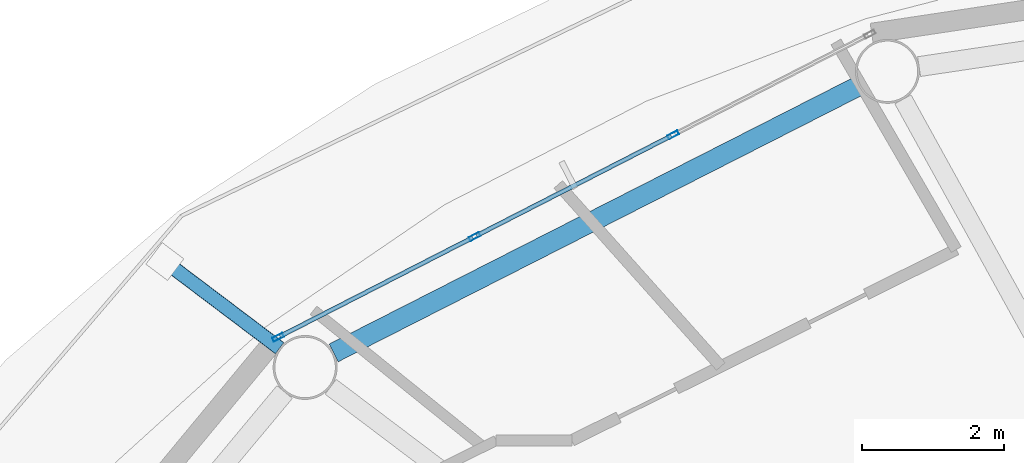
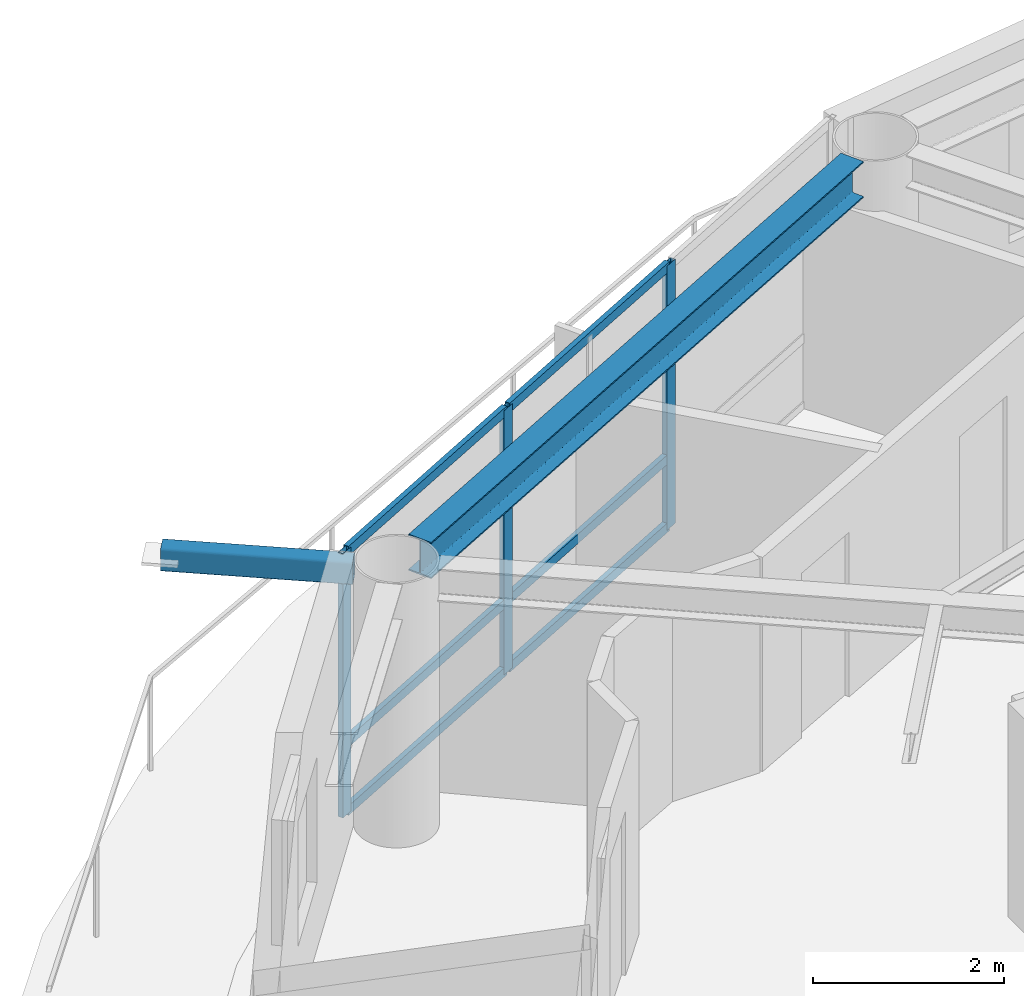
# One storey, part 8 of 21: 10 members, 1 beam, 1 element without a shape of its own.
"""IFC4 building model written with IfcOpenShell, lengths in metres."""

from ifc_helpers import new_model, si_unit, direction, frame, origin, origin_2d, place, context, subcontext, project, spatial, hollow_rectangle, i_section, extrude, material, layer, layer_set, material_profile, profile_set, type_object, element, aggregate, save


model = new_model("IFC4")

# Units and contexts
model_context = context("Model", 3, precision=1e-05, world=origin(), true_north=direction((0.0, 1.0)))
body_context = subcontext(model_context, "Body", "Model", "MODEL_VIEW")
ifc_project = project(units=[si_unit("LENGTHUNIT", "METRE"), si_unit("AREAUNIT", "SQUARE_METRE"), si_unit("VOLUMEUNIT", "CUBIC_METRE"), si_unit("PLANEANGLEUNIT", "RADIAN"), si_unit("MASSUNIT", "GRAM", prefix="KILO")], contexts=[model_context])

# Site, building, storey
site_placement = place(None, origin())
site = spatial("IfcSite", under=ifc_project, at=site_placement, CompositionType="ELEMENT")
building_placement = place(site_placement, origin())
building = spatial("IfcBuilding", under=site, at=building_placement, Name="Sarneth Arch Tower", CompositionType="ELEMENT")
storey_placement = place(building_placement, frame((0.0, 0.0, 309.0)))
storey = spatial("IfcBuildingStorey", under=building, at=storey_placement, Name="L80", CompositionType="ELEMENT", Elevation=309.0)

# Beam
ifc_material_1 = material(Name="Steel S355", Category="steel")
ifc_material_profile_1 = material_profile(ifc_material_1, i_section(OverallWidth=0.280029296875, OverallDepth=0.462890625, WebThickness=0.0107421875, FlangeThickness=0.017333984375, FilletRadius=0.01806640625, at=origin_2d()), Name="W460x113")
ifc_profile_set_1 = profile_set([ifc_material_profile_1], Name="Steel S355")
beam_type = type_object("IfcBeamType", Name="BM-RAD-460A", PredefinedType="BEAM", material=ifc_profile_set_1)
beam_placement = place(storey_placement, frame((37.80810546875, 59.534423828125, 3.138427734375), z_axis=(-0.891376248079, -0.453264144138, 0.0), x_axis=(0.453264144138, -0.891376248079, 0.0)))
element("IfcBeam", 1, at=beam_placement, inside=storey, type_object=beam_type, Name="L80 Perimeter spandrel beam 06", PredefinedType="BEAM", context=body_context, shape_type="SweptSolid", body=[
    extrude(i_section(OverallWidth=0.280029296875, OverallDepth=0.462890625, WebThickness=0.0107421875, FlangeThickness=0.017333984375, FilletRadius=0.01806640625, at=origin_2d()), origin(), (0.0, 0.0, 1.0), 8.281982421875),
])

# Curtain wall, members
ifc_material_2 = material(Name="Anodised aluminium Type AA25 and solar-control low-e laminated IGU", Category="aluminium")
ifc_layer = layer(ifc_material_2, 0.179931640625)
ifc_layer_set = layer_set([ifc_layer], Name="Anodised aluminium Type AA25 and solar-control low-e laminated IGU")
curtain_wall_type = type_object("IfcCurtainWallType", Name="CW-RES-HIGH", PredefinedType="NOTDEFINED", material=ifc_layer_set)
curtain_wall_placement = place(storey_placement, origin())
curtain_wall = element("IfcCurtainWall", 2, at=curtain_wall_placement, inside=storey, type_object=curtain_wall_type, Name="L80 Unitised curtain wall facet 06", PredefinedType="NOTDEFINED")
ifc_material_3 = material(Name="Anodised Aluminium 6063-T6", Category="aluminium")
ifc_material_profile_2 = material_profile(ifc_material_3, hollow_rectangle(XDim=0.06005859375, YDim=0.159912109375, WallThickness=0.00390625, at=origin_2d()), Name="AL-MULL-160x60x4")
ifc_profile_set_2 = profile_set([ifc_material_profile_2], Name="Anodised Aluminium 6063-T6")
member_type_1 = type_object("IfcMemberType", Name="CW-MULLION", PredefinedType="MULLION", material=ifc_profile_set_2)
member_1_placement = place(storey_placement, frame((35.197509765625, 58.844970703125, 0.0), z_axis=(0.0, 0.0, 1.0), x_axis=(0.455941901753, -0.890009540525, 0.0)))
member_1 = element("IfcMember", 3, at=member_1_placement, type_object=member_type_1, Name="CW-SYS-6 mullion 2", PredefinedType="MULLION", context=body_context, shape_type="SweptSolid", body=[
    extrude(hollow_rectangle(XDim=0.06005859375, YDim=0.159912109375, WallThickness=0.00390625, at=origin_2d()), origin(), (0.0, 0.0, 1.0), 3.3701171875),
])
member_2_placement = place(storey_placement, frame((32.407470703125, 57.415771484375, 0.0), z_axis=(0.0, 0.0, 1.0), x_axis=(0.455941901753, -0.890009540525, 0.0)))
member_2 = element("IfcMember", 4, at=member_2_placement, type_object=member_type_1, Name="CW-SYS-6 mullion 3", PredefinedType="MULLION", context=body_context, shape_type="SweptSolid", body=[
    extrude(hollow_rectangle(XDim=0.06005859375, YDim=0.159912109375, WallThickness=0.00390625, at=origin_2d()), origin(), (0.0, 0.0, 1.0), 3.3701171875),
])
member_3_placement = place(storey_placement, frame((29.644287109375, 56.000244140625, 0.0), z_axis=(0.0, 0.0, 1.0), x_axis=(0.455941901753, -0.890009540525, 0.0)))
member_3 = element("IfcMember", 5, at=member_3_placement, type_object=member_type_1, Name="CW-SYS-6 mullion 4", PredefinedType="MULLION", context=body_context, shape_type="SweptSolid", body=[
    extrude(hollow_rectangle(XDim=0.06005859375, YDim=0.159912109375, WallThickness=0.00390625, at=origin_2d()), origin(), (0.0, 0.0, 1.0), 3.3701171875),
])
ifc_material_4 = material(Name="Anodised Aluminium 6063-T6", Category="aluminium")
ifc_material_profile_3 = material_profile(ifc_material_4, hollow_rectangle(XDim=0.06005859375, YDim=0.1201171875, WallThickness=0.00390625, at=origin_2d()), Name="AL-TRAN-120x60x4")
ifc_profile_set_3 = profile_set([ifc_material_profile_3], Name="Anodised Aluminium 6063-T6")
member_type_2 = type_object("IfcMemberType", Name="CW-TRANSOM", PredefinedType="USERDEFINED", material=ifc_profile_set_3)
member_4_placement = place(storey_placement, frame((35.170654296875, 58.831298828125, 0.030029296875), z_axis=(-0.890017432405, -0.455926496286, 0.0), x_axis=(0.455926496286, -0.890017432405, 0.0)))
member_4 = element("IfcMember", 6, at=member_4_placement, type_object=member_type_2, Name="CW-SYS-6 transom 2.1", ObjectType="TRANSOM", PredefinedType="USERDEFINED", context=body_context, shape_type="SweptSolid", body=[
    extrude(hollow_rectangle(XDim=0.06005859375, YDim=0.1201171875, WallThickness=0.00390625, at=origin_2d()), origin(), (0.0, 0.0, 1.0), 3.07470703125),
])
member_5_placement = place(storey_placement, frame((35.170654296875, 58.831298828125, 0.89990234375), z_axis=(-0.890017432405, -0.455926496286, 0.0), x_axis=(0.455926496286, -0.890017432405, 0.0)))
member_5 = element("IfcMember", 7, at=member_5_placement, type_object=member_type_2, Name="CW-SYS-6 transom 2.2", ObjectType="TRANSOM", PredefinedType="USERDEFINED", context=body_context, shape_type="SweptSolid", body=[
    extrude(hollow_rectangle(XDim=0.06005859375, YDim=0.1201171875, WallThickness=0.00390625, at=origin_2d()), origin(), (0.0, 0.0, 1.0), 3.07470703125),
])
member_6_placement = place(storey_placement, frame((35.170654296875, 58.831298828125, 3.340087890625), z_axis=(-0.890017432405, -0.455926496286, 0.0), x_axis=(0.455926496286, -0.890017432405, 0.0)))
member_6 = element("IfcMember", 8, at=member_6_placement, type_object=member_type_2, Name="CW-SYS-6 transom 2.3", ObjectType="TRANSOM", PredefinedType="USERDEFINED", context=body_context, shape_type="SweptSolid", body=[
    extrude(hollow_rectangle(XDim=0.06005859375, YDim=0.1201171875, WallThickness=0.00390625, at=origin_2d()), origin(), (0.0, 0.0, 1.0), 3.07470703125),
])
member_7_placement = place(storey_placement, frame((32.380859375, 57.402099609375, 0.030029296875), z_axis=(-0.890022732705, -0.455916149384, 0.0), x_axis=(0.455916149384, -0.890022732705, 0.0)))
member_7 = element("IfcMember", 9, at=member_7_placement, type_object=member_type_2, Name="CW-SYS-6 transom 3.1", ObjectType="TRANSOM", PredefinedType="USERDEFINED", context=body_context, shape_type="SweptSolid", body=[
    extrude(hollow_rectangle(XDim=0.06005859375, YDim=0.1201171875, WallThickness=0.00390625, at=origin_2d()), origin(), (0.0, 0.0, 1.0), 3.044921875),
])
member_8_placement = place(storey_placement, frame((32.380859375, 57.402099609375, 0.89990234375), z_axis=(-0.890022732705, -0.455916149384, 0.0), x_axis=(0.455916149384, -0.890022732705, 0.0)))
member_8 = element("IfcMember", 10, at=member_8_placement, type_object=member_type_2, Name="CW-SYS-6 transom 3.2", ObjectType="TRANSOM", PredefinedType="USERDEFINED", context=body_context, shape_type="SweptSolid", body=[
    extrude(hollow_rectangle(XDim=0.06005859375, YDim=0.1201171875, WallThickness=0.00390625, at=origin_2d()), origin(), (0.0, 0.0, 1.0), 3.044921875),
])
member_9_placement = place(storey_placement, frame((32.380859375, 57.402099609375, 3.340087890625), z_axis=(-0.890022732705, -0.455916149384, 0.0), x_axis=(0.455916149384, -0.890022732705, 0.0)))
member_9 = element("IfcMember", 11, at=member_9_placement, type_object=member_type_2, Name="CW-SYS-6 transom 3.3", ObjectType="TRANSOM", PredefinedType="USERDEFINED", context=body_context, shape_type="SweptSolid", body=[
    extrude(hollow_rectangle(XDim=0.06005859375, YDim=0.1201171875, WallThickness=0.00390625, at=origin_2d()), origin(), (0.0, 0.0, 1.0), 3.044921875),
])
aggregate(curtain_wall, [member_1, member_2, member_3, member_4, member_5, member_6, member_7, member_8, member_9])

# Member
ifc_material_5 = material(Name="Steel S355", Category="steel")
ifc_material_profile_4 = material_profile(ifc_material_5, hollow_rectangle(XDim=0.199951171875, YDim=0.300048828125, WallThickness=0.012451171875, InnerFilletRadius=0.018798828125, OuterFilletRadius=0.03125, at=origin_2d()), Name="RHS300x200x12.5")
ifc_profile_set_4 = profile_set([ifc_material_profile_4], Name="Steel S355")
member_type_3 = type_object("IfcMemberType", Name="MEM-CANT-STRUT", PredefinedType="STRUT", material=ifc_profile_set_4)
member_10_placement = place(storey_placement, frame((29.665771484375, 55.84765625, 3.2099609375), z_axis=(-0.798009352378, 0.602645064294, 0.0), x_axis=(-0.602645064294, -0.798009352378, 0.0)))
element("IfcMember", 12, at=member_10_placement, inside=storey, type_object=member_type_3, Name="L80 Balcony cantilever bracket 07", PredefinedType="STRUT", context=body_context, shape_type="SweptSolid", body=[
    extrude(hollow_rectangle(XDim=0.199951171875, YDim=0.300048828125, WallThickness=0.012451171875, InnerFilletRadius=0.018798828125, OuterFilletRadius=0.03125, at=origin_2d()), origin(), (0.0, 0.0, 1.0), 2.020751953125),
])

save(model, "model.ifc")
